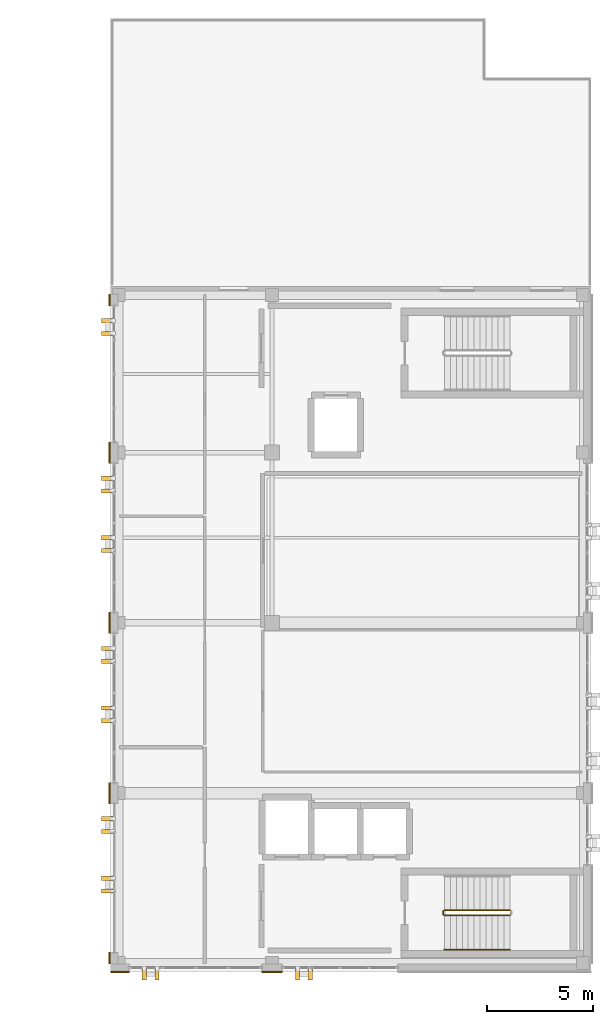
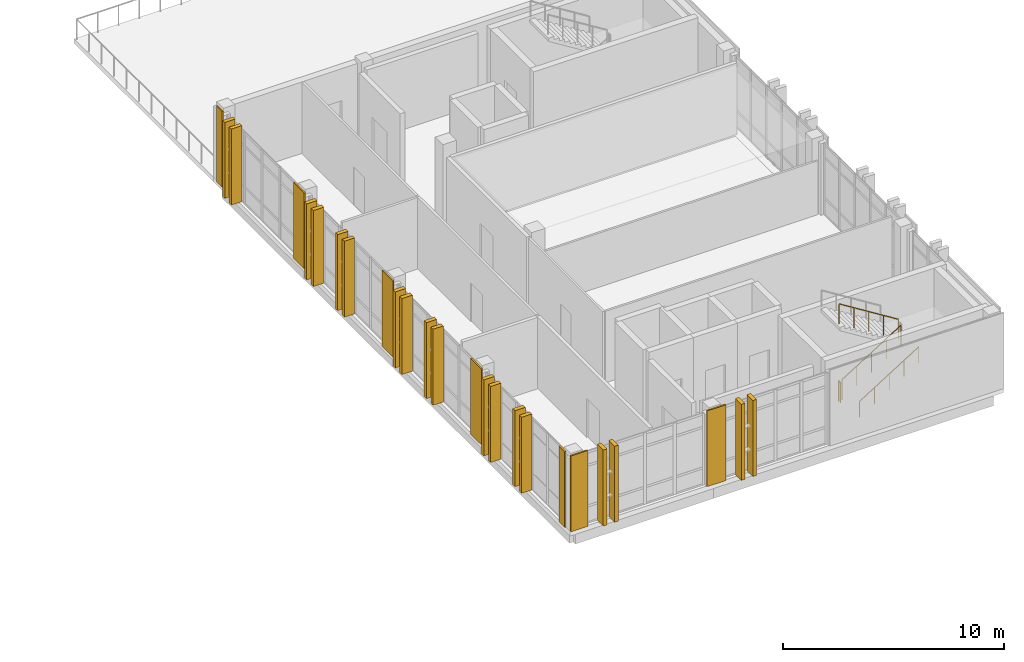
# One storey, part 44 of 48: 25 coverings, 4 railings.
"""IFC4 building model written with IfcOpenShell, lengths in metres."""

from ifc_helpers import new_model, si_unit, direction, frame, origin, origin_2d, place, context, subcontext, project, spatial, rectangle, circle, extrude, material, layer, layer_set, type_object, element, save


model = new_model("IFC4")

# Units and contexts
model_context = context("Model", 3, precision=1e-05, world=origin(), true_north=direction((0.0, 1.0)))
body_context = subcontext(model_context, "Body", "Model", "MODEL_VIEW")
ifc_project = project(units=[si_unit("LENGTHUNIT", "METRE"), si_unit("AREAUNIT", "SQUARE_METRE"), si_unit("VOLUMEUNIT", "CUBIC_METRE"), si_unit("PLANEANGLEUNIT", "RADIAN"), si_unit("MASSUNIT", "GRAM", prefix="KILO")], contexts=[model_context])

# Site, building, storey
site_placement = place(None, origin())
site = spatial("IfcSite", under=ifc_project, at=site_placement, CompositionType="ELEMENT")
building_placement = place(site_placement, origin())
building = spatial("IfcBuilding", under=site, at=building_placement, Name="Qalavern Law Courts", CompositionType="ELEMENT")
storey_placement = place(building_placement, frame((0.0, 0.0, 31.199951171875)))
storey = spatial("IfcBuildingStorey", under=building, at=storey_placement, Name="L07", CompositionType="ELEMENT", Elevation=31.199951171875)

# Coverings
ifc_material_1 = material(Name="Precast concrete C40/50", Category="concrete")
ifc_layer_1 = layer(ifc_material_1, 0.199951171875)
ifc_layer_set_1 = layer_set([ifc_layer_1], Name="Precast concrete C40/50")
covering_type_1 = type_object("IfcCoveringType", Name="ENV-BLD-1", PredefinedType="CLADDING", material=ifc_layer_set_1)
for number, where, z_axis, x_axis, name in (
    (1, (85.800048828125, 40.887451171875, 0.005126953125), (0.0, 0.0, 1.0), (0.0, -1.0, 0.0), "Absheron stone facade blade 0805"),
    (2, (86.39990234375, 40.887451171875, 0.005126953125), (0.0, 0.0, 1.0), (0.0, -1.0, 0.0), "Absheron stone facade blade 0806"),
    (3, (93.0, 40.887451171875, 0.005126953125), (0.0, 0.0, 1.0), (0.0, -1.0, 0.0), "Absheron stone facade blade 0807"),
    (4, (93.60009765625, 40.887451171875, 0.005126953125), (0.0, 0.0, 1.0), (0.0, -1.0, 0.0), "Absheron stone facade blade 0808"),
    (5, (84.0673828125, 71.60009765625, 0.005126953125), (0.0, 0.0, 1.0), (-1.0, 0.0, 0.0), "Absheron stone facade blade 0819"),
    (6, (84.0673828125, 71.0, 0.005126953125), (0.0, 0.0, 1.0), (-1.0, 0.0, 0.0), "Absheron stone facade blade 0820"),
    (7, (84.0673828125, 64.199951171875, 0.005126953125), (0.0, 0.0, 1.0), (-1.0, 0.0, 0.0), "Absheron stone facade blade 0821"),
    (8, (84.0673828125, 63.60009765625, 0.005126953125), (0.0, 0.0, 1.0), (-1.0, 0.0, 0.0), "Absheron stone facade blade 0822"),
    (9, (84.0673828125, 61.39990234375, 0.005126953125), (0.0, 0.0, 1.0), (-1.0, 0.0, 0.0), "Absheron stone facade blade 0823"),
    (10, (84.0673828125, 60.800048828125, 0.005126953125), (0.0, 0.0, 1.0), (-1.0, 0.0, 0.0), "Absheron stone facade blade 0824"),
    (11, (84.0673828125, 56.199951171875, 0.005126953125), (0.0, 0.0, 1.0), (-1.0, 0.0, 0.0), "Absheron stone facade blade 0825"),
    (12, (84.0673828125, 55.60009765625, 0.005126953125), (0.0, 0.0, 1.0), (-1.0, 0.0, 0.0), "Absheron stone facade blade 0826"),
    (13, (84.0673828125, 53.39990234375, 0.005126953125), (0.0, 0.0, 1.0), (-1.0, 0.0, 0.0), "Absheron stone facade blade 0827"),
    (14, (84.0673828125, 52.800048828125, 0.005126953125), (0.0, 0.0, 1.0), (-1.0, 0.0, 0.0), "Absheron stone facade blade 0828"),
    (15, (84.0673828125, 48.199951171875, 0.005126953125), (0.0, 0.0, 1.0), (-1.0, 0.0, 0.0), "Absheron stone facade blade 0829"),
    (16, (84.0673828125, 47.60009765625, 0.005126953125), (0.0, 0.0, 1.0), (-1.0, 0.0, 0.0), "Absheron stone facade blade 0830"),
    (17, (84.0673828125, 45.39990234375, 0.005126953125), (0.0, 0.0, 1.0), (-1.0, 0.0, 0.0), "Absheron stone facade blade 0831"),
    (18, (84.0673828125, 44.800048828125, 0.005126953125), (0.0, 0.0, 1.0), (-1.0, 0.0, 0.0), "Absheron stone facade blade 0832"),
):
    element("IfcCovering", number, at=place(storey_placement, frame(where, z_axis=z_axis, x_axis=x_axis)), inside=storey, type_object=covering_type_1, Name=name, PredefinedType="CLADDING", context=body_context, shape_type="SweptSolid", body=[
        extrude(rectangle(XDim=0.5400390625, YDim=0.199951171875, at=origin_2d()), origin(), (0.0, 0.0, 1.0), 4.18994140625),
    ])
ifc_layer_2 = layer(ifc_material_1, 0.072021484375)
ifc_layer_set_2 = layer_set([ifc_layer_2], Name="Precast concrete C40/50")
covering_type_2 = type_object("IfcCoveringType", Name="ENV-CLD-2", PredefinedType="CLADDING", material=ifc_layer_set_2)
covering_1_placement = place(storey_placement, frame((84.64990234375, 40.987060546875, 0.01025390625), z_axis=(0.0, 0.0, 1.0), x_axis=(1.0, 0.0, 0.0)))
element("IfcCovering", 19, at=covering_1_placement, inside=storey, type_object=covering_type_2, Name="V4 Absheron limestone pier facing L07 south 1", PredefinedType="CLADDING", context=body_context, shape_type="SweptSolid", body=[
    extrude(rectangle(XDim=0.8798828125, YDim=0.072021484375, at=origin_2d()), origin(), (0.0, 0.0, 1.0), 4.179931640625),
])
covering_2_placement = place(storey_placement, frame((91.800048828125, 40.987060546875, 0.01025390625), z_axis=(0.0, 0.0, 1.0), x_axis=(1.0, 0.0, 0.0)))
element("IfcCovering", 20, at=covering_2_placement, inside=storey, type_object=covering_type_2, Name="V4 Absheron limestone pier facing L07 south 2", PredefinedType="CLADDING", context=body_context, shape_type="SweptSolid", body=[
    extrude(rectangle(XDim=0.97998046875, YDim=0.072021484375, at=origin_2d()), origin(), (0.0, 0.0, 1.0), 4.179931640625),
])
covering_3_placement = place(storey_placement, frame((84.1669921875, 72.574951171875, 0.01025390625), z_axis=(0.0, 0.0, 1.0), x_axis=(0.0, -1.0, 0.0)))
element("IfcCovering", 21, at=covering_3_placement, inside=storey, type_object=covering_type_2, Name="V4 Absheron limestone pier facing L07 west 1", PredefinedType="CLADDING", context=body_context, shape_type="SweptSolid", body=[
    extrude(rectangle(XDim=0.530029296875, YDim=0.072021484375, at=origin_2d()), origin(), (0.0, 0.0, 1.0), 4.179931640625),
])
for number, where, z_axis, x_axis, name in (
    (22, (84.1669921875, 65.39990234375, 0.01025390625), (0.0, 0.0, 1.0), (0.0, -1.0, 0.0), "V4 Absheron limestone pier facing L07 west 2"),
    (23, (84.1669921875, 57.39990234375, 0.01025390625), (0.0, 0.0, 1.0), (0.0, -1.0, 0.0), "V4 Absheron limestone pier facing L07 west 3"),
    (24, (84.1669921875, 49.39990234375, 0.01025390625), (0.0, 0.0, 1.0), (0.0, -1.0, 0.0), "V4 Absheron limestone pier facing L07 west 4"),
):
    element("IfcCovering", number, at=place(storey_placement, frame(where, z_axis=z_axis, x_axis=x_axis)), inside=storey, type_object=covering_type_2, Name=name, PredefinedType="CLADDING", context=body_context, shape_type="SweptSolid", body=[
        extrude(rectangle(XDim=0.97998046875, YDim=0.072021484375, at=origin_2d()), origin(), (0.0, 0.0, 1.0), 4.179931640625),
    ])
covering_4_placement = place(storey_placement, frame((84.1669921875, 41.64501953125, 0.01025390625), z_axis=(0.0, 0.0, 1.0), x_axis=(0.0, -1.0, 0.0)))
element("IfcCovering", 25, at=covering_4_placement, inside=storey, type_object=covering_type_2, Name="V4 Absheron limestone pier facing L07 west 5", PredefinedType="CLADDING", context=body_context, shape_type="SweptSolid", body=[
    extrude(rectangle(XDim=0.530029296875, YDim=0.072021484375, at=origin_2d()), origin(), (0.0, 0.0, 1.0), 4.179931640625),
])

# Railings
ifc_material_2 = material(Name="Steel S355", Category="steel")
railing_type_1 = type_object("IfcRailingType", Name="INT-GUARD-1120", PredefinedType="BALUSTRADE", material=ifc_material_2)
railing_1_placement = place(storey_placement, frame((99.89990234375, 43.64990234375, 0.175048828125)))
element("IfcRailing", 26, at=railing_1_placement, inside=storey, type_object=railing_type_1, Name="L07 ST-K1A stair guard 1", PredefinedType="BALUSTRADE", context=body_context, shape_type="SweptSolid", body=[
    extrude(circle(Radius=0.02392578125, at=origin_2d()), frame((0.0, 0.0, 1.09619140625), z_axis=(0.847998304005, 0.0, 0.529998940003), x_axis=(0.0, 1.0, 0.0)), (0.0, 0.0, 1.0), 3.632080078125),
    extrude(circle(Radius=0.02099609375, at=origin_2d()), origin(), (0.0, 0.0, 1.0), 1.072021484375),
    extrude(circle(Radius=0.02099609375, at=origin_2d()), frame((0.77001953125, 0.0, 0.481201171875)), (0.0, 0.0, 1.0), 1.072021484375),
    extrude(circle(Radius=0.02099609375, at=origin_2d()), frame((1.5400390625, 0.0, 0.96240234375)), (0.0, 0.0, 1.0), 1.072021484375),
    extrude(circle(Radius=0.02099609375, at=origin_2d()), frame((2.31005859375, 0.0, 1.44384765625)), (0.0, 0.0, 1.0), 1.072021484375),
    extrude(circle(Radius=0.02099609375, at=origin_2d()), frame((3.080078125, 0.0, 1.925048828125)), (0.0, 0.0, 1.0), 1.072021484375),
])
railing_2_placement = place(storey_placement, frame((102.97998046875, 43.89990234375, 2.275146484375)))
element("IfcRailing", 27, at=railing_2_placement, inside=storey, type_object=railing_type_1, Name="L07 ST-K1A stair guard 3", PredefinedType="BALUSTRADE", context=body_context, shape_type="SweptSolid", body=[
    extrude(circle(Radius=0.02392578125, at=origin_2d()), frame((0.0, 0.0, 1.09619140625), z_axis=(-0.848028513186, 0.0, 0.529950602248), x_axis=(0.0, -1.0, 0.0)), (0.0, 0.0, 1.0), 3.632080078125),
    extrude(circle(Radius=0.02099609375, at=origin_2d()), origin(), (0.0, 0.0, 1.0), 1.072021484375),
    extrude(circle(Radius=0.02099609375, at=origin_2d()), frame((-0.77001953125, 0.0, 0.481201171875)), (0.0, 0.0, 1.0), 1.072021484375),
    extrude(circle(Radius=0.02099609375, at=origin_2d()), frame((-1.5400390625, 0.0, 0.96240234375)), (0.0, 0.0, 1.0), 1.072021484375),
    extrude(circle(Radius=0.02099609375, at=origin_2d()), frame((-2.31005859375, 0.0, 1.443603515625)), (0.0, 0.0, 1.0), 1.072021484375),
    extrude(circle(Radius=0.02099609375, at=origin_2d()), frame((-3.080078125, 0.0, 1.9248046875)), (0.0, 0.0, 1.0), 1.072021484375),
])
railing_3_placement = place(storey_placement, frame((99.85009765625, 43.699951171875, 0.0)))
element("IfcRailing", 28, at=railing_3_placement, inside=storey, type_object=railing_type_1, Name="L07 ST-K1A stair guard 4", PredefinedType="BALUSTRADE", context=body_context, shape_type="SweptSolid", body=[
    extrude(circle(Radius=0.02392578125, at=origin_2d()), frame((0.0, 0.0, 1.09619140625), z_axis=(0.0, 1.0, 0.0), x_axis=(-1.0, 0.0, 0.0)), (0.0, 0.0, 1.0), 0.150146484375),
    extrude(circle(Radius=0.02099609375, at=origin_2d()), origin(), (0.0, 0.0, 1.0), 1.072021484375),
    extrude(circle(Radius=0.02099609375, at=origin_2d()), frame((0.0, 0.150146484375, 0.0)), (0.0, 0.0, 1.0), 1.072021484375),
])
railing_type_2 = type_object("IfcRailingType", Name="INT-HRAIL-920", PredefinedType="HANDRAIL", material=ifc_material_2)
railing_4_placement = place(storey_placement, frame((99.89990234375, 42.050048828125, 0.175048828125)))
element("IfcRailing", 29, at=railing_4_placement, inside=storey, type_object=railing_type_2, Name="L07 ST-K1A stair handrail 1", PredefinedType="HANDRAIL", context=body_context, shape_type="SweptSolid", body=[
    extrude(circle(Radius=0.02392578125, at=origin_2d()), frame((0.0, 0.0, 0.8759765625), z_axis=(0.847998304005, 0.0, 0.529998940003), x_axis=(0.0, 1.0, 0.0)), (0.0, 0.0, 1.0), 3.632080078125),
    extrude(circle(Radius=0.02099609375, at=origin_2d()), origin(), (0.0, 0.0, 1.0), 0.851806640625),
    extrude(circle(Radius=0.02099609375, at=origin_2d()), frame((0.77001953125, 0.0, 0.481201171875)), (0.0, 0.0, 1.0), 0.851806640625),
    extrude(circle(Radius=0.02099609375, at=origin_2d()), frame((1.5400390625, 0.0, 0.96240234375)), (0.0, 0.0, 1.0), 0.851806640625),
    extrude(circle(Radius=0.02099609375, at=origin_2d()), frame((2.31005859375, 0.0, 1.44384765625)), (0.0, 0.0, 1.0), 0.851806640625),
    extrude(circle(Radius=0.02099609375, at=origin_2d()), frame((3.080078125, 0.0, 1.925048828125)), (0.0, 0.0, 1.0), 0.851806640625),
])

save(model, "model.ifc")
